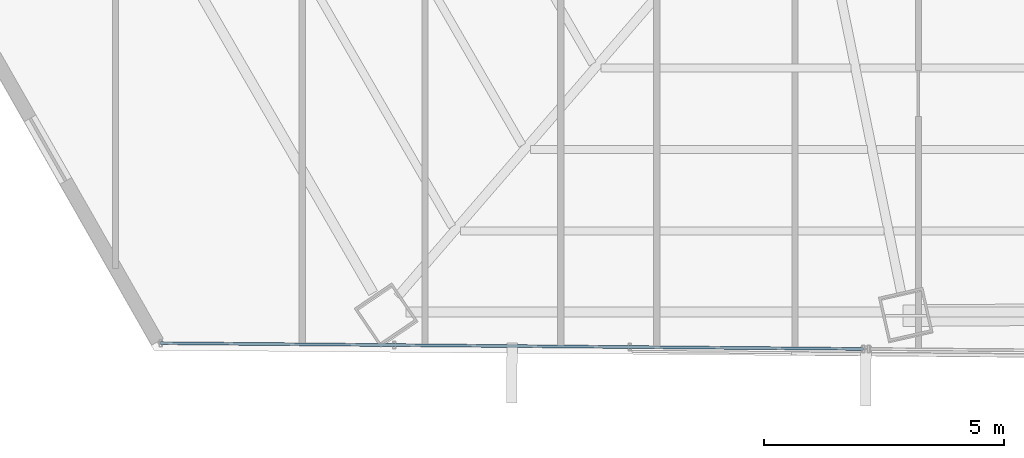
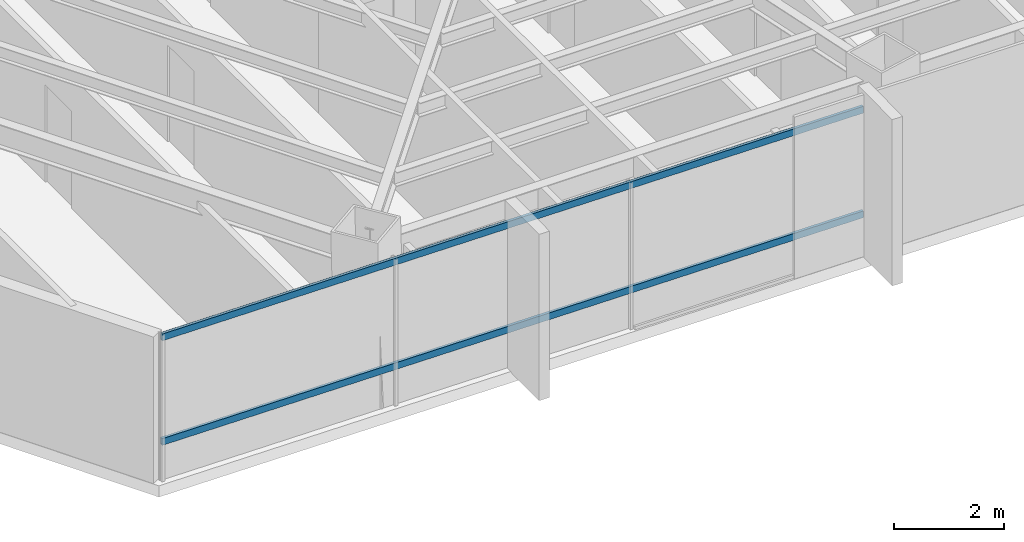
# One storey, part 3 of 40: 2 members, 1 element without a shape of its own.
"""IFC4 building model written with IfcOpenShell, lengths in metres."""

from ifc_helpers import new_model, si_unit, direction, frame, origin, origin_2d, place, context, subcontext, project, spatial, hollow_rectangle, extrude, source, transform, mapped, material, material_profile, profile_set, type_object, type_shapes, element, aggregate, save


model = new_model("IFC4")

# Units and contexts
model_context = context("Model", 3, precision=1e-05, world=origin(), true_north=direction((0.0, 1.0)))
body_context = subcontext(model_context, "Body", "Model", "MODEL_VIEW")
ifc_project = project(units=[si_unit("LENGTHUNIT", "METRE"), si_unit("AREAUNIT", "SQUARE_METRE"), si_unit("VOLUMEUNIT", "CUBIC_METRE"), si_unit("PLANEANGLEUNIT", "RADIAN"), si_unit("MASSUNIT", "GRAM", prefix="KILO")], contexts=[model_context])

# Site, building, storey
site_placement = place(None, origin())
site = spatial("IfcSite", under=ifc_project, at=site_placement, CompositionType="ELEMENT")
building_placement = place(site_placement, origin())
building = spatial("IfcBuilding", under=site, at=building_placement, Name="Caelisora Broadcast Tower", CompositionType="ELEMENT")
storey_placement = place(building_placement, frame((0.0, 0.0, 146.39990234375)))
storey = spatial("IfcBuildingStorey", under=building, at=storey_placement, Name="L38", CompositionType="ELEMENT", Elevation=146.39990234375)

# Curtain wall, members
ifc_material_1 = material(Name="Unitised Aluminium and Low-E Glass Curtain Wall", Category="glass")
curtain_wall_type = type_object("IfcCurtainWallType", Name="CW-Z3", PredefinedType="NOTDEFINED", material=ifc_material_1)
curtain_wall_placement = place(storey_placement, origin())
curtain_wall = element("IfcCurtainWall", 1, at=curtain_wall_placement, inside=storey, type_object=curtain_wall_type, Name="L38 curtain wall CW-Z3", PredefinedType="NOTDEFINED")
ifc_material_2 = material(Name="Aluminium 6063-T6 Anodised Terracotta Bronze", Category="aluminium")
ifc_material_profile = material_profile(ifc_material_2, hollow_rectangle(XDim=0.06005859375, YDim=0.14990234375, WallThickness=0.00341796875, at=origin_2d()), Name="Aluminium 6063-T6 Anodised Terracotta Bronze")
ifc_profile_set = profile_set([ifc_material_profile], Name="Aluminium 6063-T6 Anodised Terracotta Bronze")
member_type = type_object("IfcMemberType", Name="CWT-02", PredefinedType="USERDEFINED", material=ifc_profile_set)
shared_shape = source(origin(), body_context, "Body", "SweptSolid", [
    extrude(hollow_rectangle(XDim=0.06005859375, YDim=0.14990234375, WallThickness=0.00341796875, at=origin_2d()), origin(), (0.0, 0.0, 1.0), 14.64404296875),
])
type_shapes(member_type, [shared_shape])
member_1_placement = place(storey_placement, frame((31.70361328125, 6.458984375, 0.85009765625), z_axis=(-0.999966085229, 0.008235799368, 0.0), x_axis=(-0.008235799368, -0.999966085229, 0.0)))
member_1 = element("IfcMember", 2, at=member_1_placement, type_object=member_type, Name="L38-CW-B07 transom #1", ObjectType="TRANSOM", PredefinedType="USERDEFINED", context=body_context, shape_type="MappedRepresentation", body=[
    mapped(shared_shape, transform((0.0, 0.0, 0.0), scale=1.0)),
])
member_2_placement = place(storey_placement, frame((31.70361328125, 6.458984375, 3.170166015625), z_axis=(-0.999966085229, 0.008235799368, 0.0), x_axis=(-0.008235799368, -0.999966085229, 0.0)))
member_2 = element("IfcMember", 3, at=member_2_placement, type_object=member_type, Name="L38-CW-B07 transom #2", ObjectType="TRANSOM", PredefinedType="USERDEFINED", context=body_context, shape_type="MappedRepresentation", body=[
    mapped(shared_shape, transform((0.0, 0.0, 0.0), scale=1.0)),
])
aggregate(curtain_wall, [member_1, member_2])

save(model, "model.ifc")
